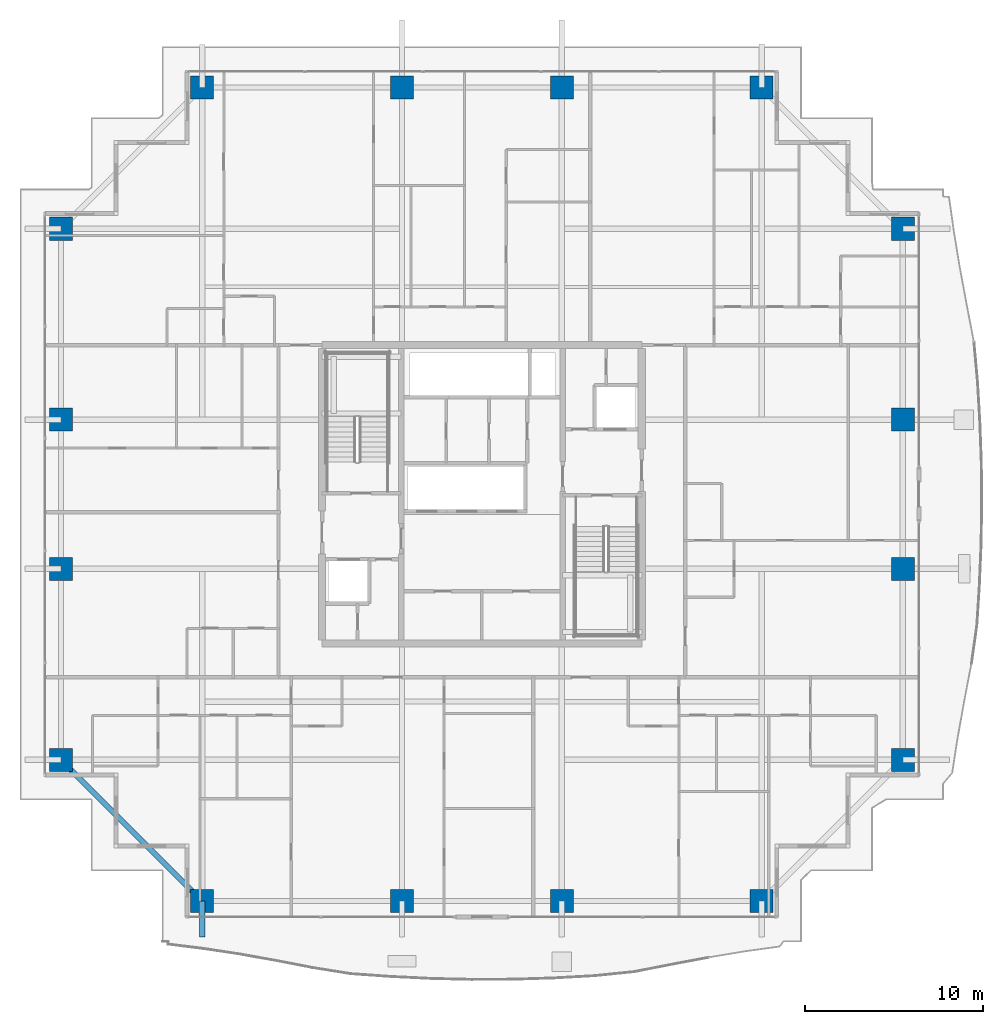
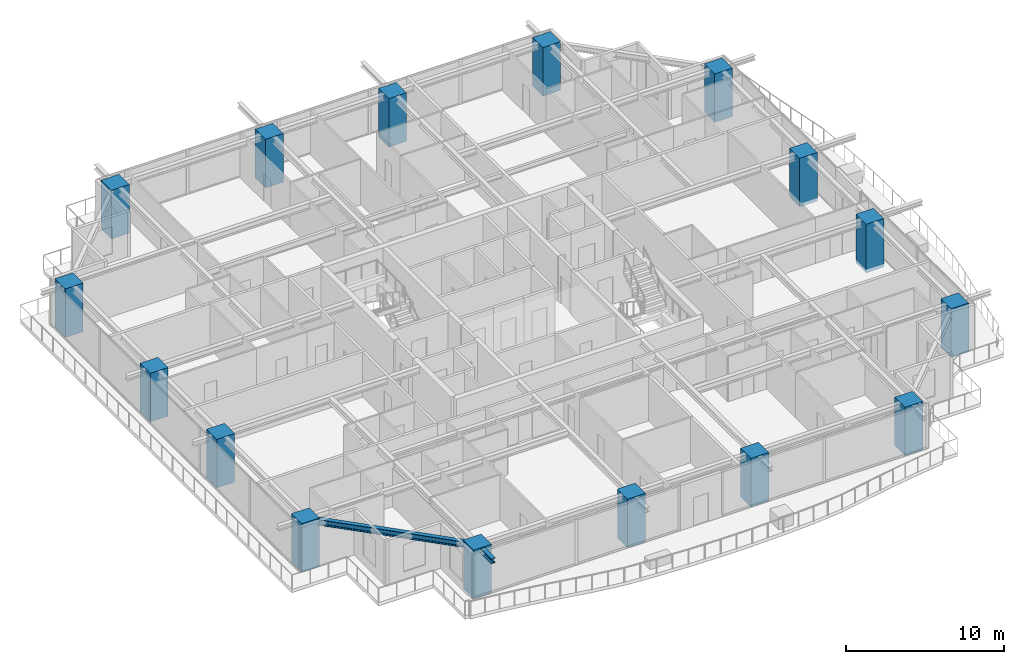
# One storey, part 1 of 38: 16 columns, 2 beams.
"""IFC4 building model written with IfcOpenShell, lengths in metres."""

from ifc_helpers import new_model, si_unit, direction, frame, origin, origin_2d, place, context, subcontext, project, spatial, rectangle, i_section, extrude, source, transform, mapped, material, material_profile, profile_set, type_object, element, save


model = new_model("IFC4")

# Units and contexts
model_context = context("Model", 3, precision=1e-05, world=origin(), true_north=direction((0.0, 1.0)))
body_context = subcontext(model_context, "Body", "Model", "MODEL_VIEW")
ifc_project = project(units=[si_unit("LENGTHUNIT", "METRE"), si_unit("AREAUNIT", "SQUARE_METRE"), si_unit("VOLUMEUNIT", "CUBIC_METRE"), si_unit("PLANEANGLEUNIT", "RADIAN"), si_unit("MASSUNIT", "GRAM", prefix="KILO")], contexts=[model_context])

# Site, building, storey
site_placement = place(None, origin())
site = spatial("IfcSite", under=ifc_project, at=site_placement, CompositionType="ELEMENT")
building_placement = place(site_placement, origin())
building = spatial("IfcBuilding", under=site, at=building_placement, Name="Serunith Strait Residences", CompositionType="ELEMENT")
storey_placement = place(building_placement, frame((0.0, 0.0, 176.39990234375)))
storey = spatial("IfcBuildingStorey", under=building, at=storey_placement, Name="L44", CompositionType="ELEMENT", Elevation=176.39990234375)

# Columns
ifc_material_1 = material(Name="Concrete C80/95", Category="concrete")
ifc_material_profile_1 = material_profile(ifc_material_1, rectangle(XDim=1.300048828125, YDim=1.300048828125, at=origin_2d()), Name="RC 1300x1300")
ifc_profile_set_1 = profile_set([ifc_material_profile_1], Name="Concrete C80/95")
column_type = type_object("IfcColumnType", Name="COL-RC-1300", PredefinedType="COLUMN", material=ifc_profile_set_1)
shared_shape_1 = source(origin(), body_context, "Body", "SweptSolid", [
    extrude(rectangle(XDim=1.300048828125, YDim=1.300048828125, at=origin_2d()), origin(), (0.0, 0.0, 1.0), 3.75),
])
for number, where, z_axis, x_axis, name in (
    (1, (16.64990234375, 2.300048828125, -0.260009765625), (0.0, 0.0, 1.0), (1.0, 0.0, 0.0), "L44 Tower Mega-Column TC-S1"),
    (2, (27.89990234375, 2.300048828125, -0.260009765625), (0.0, 0.0, 1.0), (1.0, 0.0, 0.0), "L44 Tower Mega-Column TC-S2"),
    (3, (36.89990234375, 2.300048828125, -0.260009765625), (0.0, 0.0, 1.0), (1.0, 0.0, 0.0), "L44 Tower Mega-Column TC-S3"),
    (4, (48.14990234375, 2.300048828125, -0.260009765625), (0.0, 0.0, 1.0), (1.0, 0.0, 0.0), "L44 Tower Mega-Column TC-S4"),
    (5, (16.64990234375, 48.10009765625, -0.260009765625), (0.0, 0.0, 1.0), (1.0, 0.0, 0.0), "L44 Tower Mega-Column TC-N1"),
    (6, (27.89990234375, 48.10009765625, -0.260009765625), (0.0, 0.0, 1.0), (1.0, 0.0, 0.0), "L44 Tower Mega-Column TC-N2"),
    (7, (36.89990234375, 48.10009765625, -0.260009765625), (0.0, 0.0, 1.0), (1.0, 0.0, 0.0), "L44 Tower Mega-Column TC-N3"),
    (8, (48.14990234375, 48.10009765625, -0.260009765625), (0.0, 0.0, 1.0), (1.0, 0.0, 0.0), "L44 Tower Mega-Column TC-N4"),
    (9, (56.10009765625, 10.25, -0.260009765625), (0.0, 0.0, 1.0), (1.0, 0.0, 0.0), "L44 Tower Mega-Column TC-E1"),
    (10, (56.10009765625, 21.0, -0.260009765625), (0.0, 0.0, 1.0), (1.0, 0.0, 0.0), "L44 Tower Mega-Column TC-E2"),
    (11, (56.10009765625, 29.39990234375, -0.260009765625), (0.0, 0.0, 1.0), (1.0, 0.0, 0.0), "L44 Tower Mega-Column TC-E3"),
    (12, (56.10009765625, 40.14990234375, -0.260009765625), (0.0, 0.0, 1.0), (1.0, 0.0, 0.0), "L44 Tower Mega-Column TC-E4"),
    (13, (8.699951171875, 10.25, -0.260009765625), (0.0, 0.0, 1.0), (1.0, 0.0, 0.0), "L44 Tower Mega-Column TC-W1"),
    (14, (8.699951171875, 21.0, -0.260009765625), (0.0, 0.0, 1.0), (1.0, 0.0, 0.0), "L44 Tower Mega-Column TC-W2"),
    (15, (8.699951171875, 29.39990234375, -0.260009765625), (0.0, 0.0, 1.0), (1.0, 0.0, 0.0), "L44 Tower Mega-Column TC-W3"),
    (16, (8.699951171875, 40.14990234375, -0.260009765625), (0.0, 0.0, 1.0), (1.0, 0.0, 0.0), "L44 Tower Mega-Column TC-W4"),
):
    element("IfcColumn", number, at=place(storey_placement, frame(where, z_axis=z_axis, x_axis=x_axis)), inside=storey, type_object=column_type, Name=name, PredefinedType="COLUMN", context=body_context, shape_type="MappedRepresentation", body=[
        mapped(shared_shape_1, transform((0.0, 0.0, 0.0), scale=1.0)),
    ])

# Beams
ifc_material_2 = material(Name="Steel S355J2", Category="steel")
ifc_material_profile_2 = material_profile(ifc_material_2, i_section(OverallWidth=0.300048828125, OverallDepth=0.449951171875, WebThickness=0.013916015625, FlangeThickness=0.02587890625, FilletRadius=0.027099609375, at=origin_2d()), Name="HEB 450")
ifc_profile_set_2 = profile_set([ifc_material_profile_2], Name="Steel S355J2")
beam_type_1 = type_object("IfcBeamType", Name="BM-HEB450", PredefinedType="BEAM", material=ifc_profile_set_2)
shared_shape_2 = source(origin(), body_context, "Body", "SweptSolid", [
    extrude(i_section(OverallWidth=0.300048828125, OverallDepth=0.449951171875, WebThickness=0.013916015625, FlangeThickness=0.02587890625, FilletRadius=0.027099609375, at=origin_2d()), origin(), (0.0, 0.0, 1.0), 11.242919921875),
])
beam_1_placement = place(storey_placement, frame((8.699951171875, 10.25, 3.232177734375), z_axis=(0.707106781187, -0.707106781187, 0.0), x_axis=(0.707106781187, 0.707106781187, 0.0)))
element("IfcBeam", 17, at=beam_1_placement, inside=storey, type_object=beam_type_1, Name="L44 Perimeter Ring Beam 16", PredefinedType="BEAM", context=body_context, shape_type="MappedRepresentation", body=[
    mapped(shared_shape_2, transform((0.0, 0.0, 0.0), scale=1.0)),
])
ifc_material_profile_3 = material_profile(ifc_material_2, i_section(OverallWidth=0.300048828125, OverallDepth=0.360107421875, WebThickness=0.012451171875, FlangeThickness=0.0224609375, FilletRadius=0.027099609375, at=origin_2d()), Name="HEB 360")
ifc_profile_set_3 = profile_set([ifc_material_profile_3], Name="Steel S355J2")
beam_type_2 = type_object("IfcBeamType", Name="BM-HEB360", PredefinedType="BEAM", material=ifc_profile_set_3)
shared_shape_3 = source(origin(), body_context, "Body", "SweptSolid", [
    extrude(i_section(OverallWidth=0.300048828125, OverallDepth=0.360107421875, WebThickness=0.012451171875, FlangeThickness=0.0224609375, FilletRadius=0.027099609375, at=origin_2d()), origin(), (0.0, 0.0, 1.0), 2.030029296875),
])
beam_2_placement = place(storey_placement, frame((16.64990234375, 2.300048828125, 3.277099609375), z_axis=(0.0, -1.0, 0.0), x_axis=(1.0, 0.0, 0.0)))
element("IfcBeam", 18, at=beam_2_placement, inside=storey, type_object=beam_type_2, Name="L45 Cantilevered Balcony Rib TC-S1", PredefinedType="BEAM", context=body_context, shape_type="MappedRepresentation", body=[
    mapped(shared_shape_3, transform((0.0, 0.0, 0.0), scale=1.0)),
])

save(model, "model.ifc")
